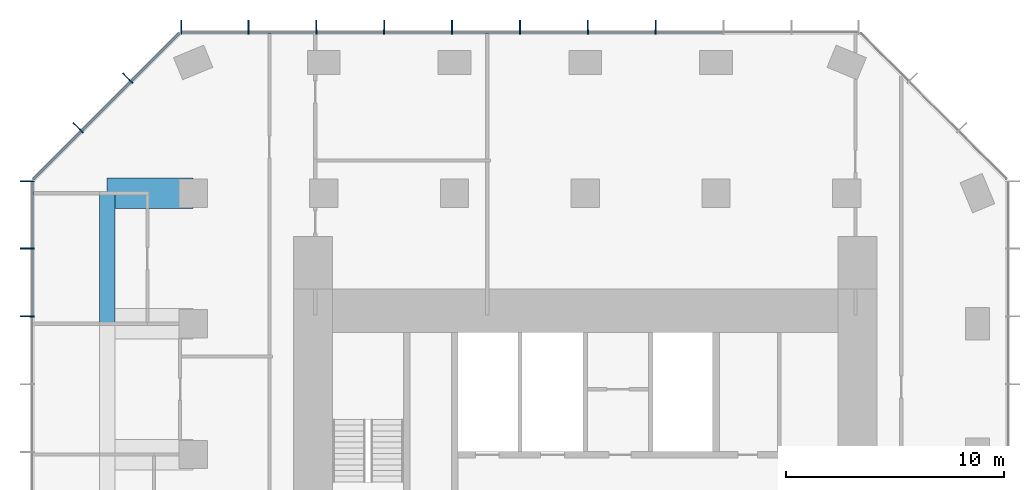
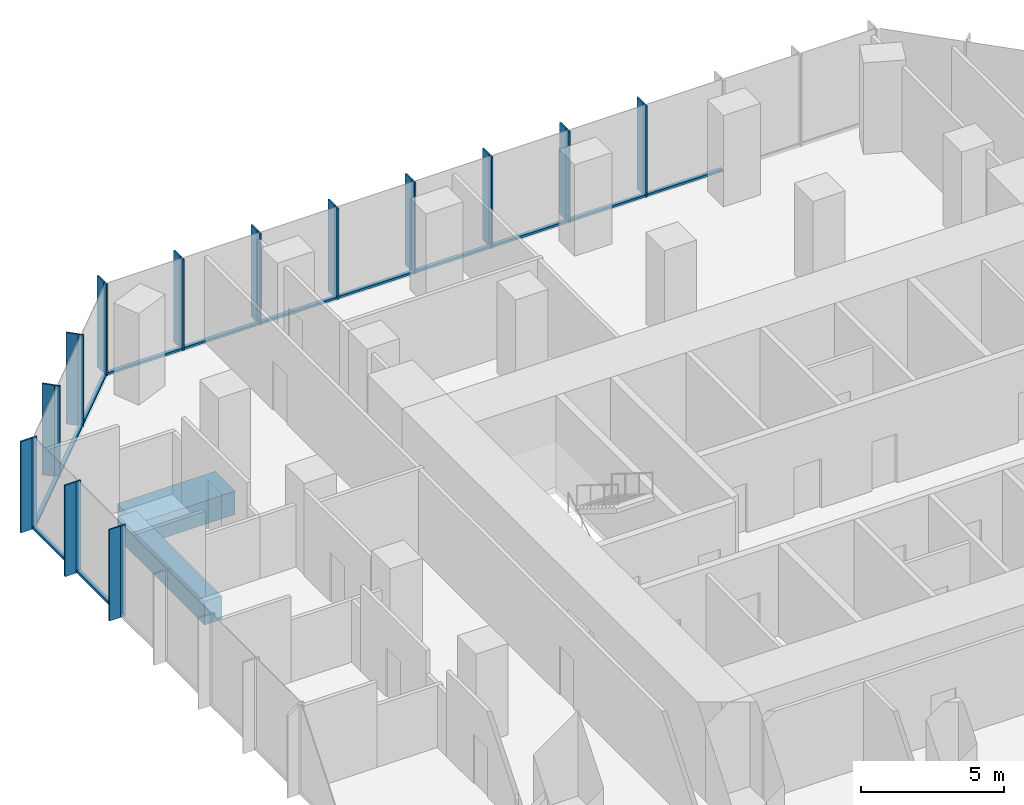
# One storey, part 5 of 11: 39 members, 2 beams, 3 elements without a shape of their own.
"""IFC4 building model written with IfcOpenShell, lengths in metres."""

from ifc_helpers import new_model, si_unit, direction, frame, origin, origin_2d, place, context, subcontext, project, spatial, rectangle, extrude, material, layer, layer_set, material_profile, profile_set, type_object, element, aggregate, save


model = new_model("IFC4")

# Units and contexts
model_context = context("Model", 3, precision=1e-05, world=origin(), true_north=direction((0.0, 1.0)))
body_context = subcontext(model_context, "Body", "Model", "MODEL_VIEW")
ifc_project = project(units=[si_unit("LENGTHUNIT", "METRE"), si_unit("AREAUNIT", "SQUARE_METRE"), si_unit("VOLUMEUNIT", "CUBIC_METRE"), si_unit("PLANEANGLEUNIT", "RADIAN"), si_unit("MASSUNIT", "GRAM", prefix="KILO")], contexts=[model_context])

# Site, building, storey
site_placement = place(None, origin())
site = spatial("IfcSite", under=ifc_project, at=site_placement, CompositionType="ELEMENT")
building_placement = place(site_placement, origin())
building = spatial("IfcBuilding", under=site, at=building_placement, Name="Highveld Stack Headquarters", CompositionType="ELEMENT")
storey_placement = place(building_placement, frame((0.0, 0.0, 227.89990234375)))
storey = spatial("IfcBuildingStorey", under=building, at=storey_placement, Name="L56", CompositionType="ELEMENT", Elevation=227.89990234375)

# Beam
ifc_material_1 = material(Name="Concrete C60/75", Category="concrete")
ifc_material_profile_1 = material_profile(ifc_material_1, rectangle(XDim=1.39990234375, YDim=1.0, at=origin_2d()), Name="RC 1400x1000")
ifc_profile_set_1 = profile_set([ifc_material_profile_1], Name="Concrete C60/75")
beam_type_1 = type_object("IfcBeamType", Name="CANTILEVER RIB RC 1400x1000", PredefinedType="USERDEFINED", material=ifc_profile_set_1)
beam_1_placement = place(storey_placement, frame((-12.0, 18.0, -0.75), z_axis=(-1.0, 0.0, 0.0), x_axis=(0.0, -1.0, 0.0)))
element("IfcBeam", 1, at=beam_1_placement, inside=storey, type_object=beam_type_1, Name="Cantilever rib 4/H L56", ObjectType="CANTILEVER RIB", PredefinedType="USERDEFINED", context=body_context, shape_type="SweptSolid", body=[
    extrude(rectangle(XDim=1.39990234375, YDim=1.0, at=origin_2d()), origin(), (0.0, 0.0, 1.0), 3.949951171875),
])

# Curtain wall, members
ifc_material_2 = material(Name="Aluminium bronze anodised", Category="aluminium")
ifc_layer_1 = layer(ifc_material_2, 0.199951171875)
ifc_layer_set_1 = layer_set([ifc_layer_1], Name="Aluminium bronze anodised")
curtain_wall_type_1 = type_object("IfcCurtainWallType", Name="CW1 TOWER UNITISED CURTAIN WALL", PredefinedType="NOTDEFINED", material=ifc_layer_set_1)
curtain_wall_1_placement = place(storey_placement, origin())
curtain_wall_1 = element("IfcCurtainWall", 2, at=curtain_wall_1_placement, inside=storey, type_object=curtain_wall_type_1, Name="Curtain wall CW1 L56 N", PredefinedType="NOTDEFINED")
ifc_material_3 = material(Name="Aluminium bronze anodised", Category="aluminium")
ifc_material_profile_2 = material_profile(ifc_material_3, rectangle(XDim=0.449951171875, YDim=0.06005859375, at=origin_2d()), Name="FIN 450x60")
ifc_profile_set_2 = profile_set([ifc_material_profile_2], Name="Aluminium bronze anodised")
member_type_1 = type_object("IfcMemberType", Name="CW1 BRONZE FIN 450x60", PredefinedType="USERDEFINED", material=ifc_profile_set_2)
member_1_placement = place(storey_placement, frame((9.23193359375, 25.72509765625, 0.0), z_axis=(0.0, 0.0, 1.0), x_axis=(0.0, -1.0, 0.0)))
member_1 = element("IfcMember", 3, at=member_1_placement, type_object=member_type_1, Name="CW1 fin L56 4", ObjectType="FIN", PredefinedType="USERDEFINED", context=body_context, shape_type="SweptSolid", body=[
    extrude(rectangle(XDim=0.449951171875, YDim=0.06005859375, at=origin_2d()), origin(), (0.0, 0.0, 1.0), 3.900146484375),
])
member_2_placement = place(storey_placement, frame((6.115966796875, 25.72509765625, 0.0), z_axis=(0.0, 0.0, 1.0), x_axis=(0.0, -1.0, 0.0)))
member_2 = element("IfcMember", 4, at=member_2_placement, type_object=member_type_1, Name="CW1 fin L56 5", ObjectType="FIN", PredefinedType="USERDEFINED", context=body_context, shape_type="SweptSolid", body=[
    extrude(rectangle(XDim=0.449951171875, YDim=0.06005859375, at=origin_2d()), origin(), (0.0, 0.0, 1.0), 3.900146484375),
])
member_3_placement = place(storey_placement, frame((3.0, 25.72509765625, 0.0), z_axis=(0.0, 0.0, 1.0), x_axis=(0.0, -1.0, 0.0)))
member_3 = element("IfcMember", 5, at=member_3_placement, type_object=member_type_1, Name="CW1 fin L56 6", ObjectType="FIN", PredefinedType="USERDEFINED", context=body_context, shape_type="SweptSolid", body=[
    extrude(rectangle(XDim=0.449951171875, YDim=0.06005859375, at=origin_2d()), origin(), (0.0, 0.0, 1.0), 3.900146484375),
])
member_4_placement = place(storey_placement, frame((-0.115966796875, 25.72509765625, 0.0), z_axis=(0.0, 0.0, 1.0), x_axis=(0.0, -1.0, 0.0)))
member_4 = element("IfcMember", 6, at=member_4_placement, type_object=member_type_1, Name="CW1 fin L56 7", ObjectType="FIN", PredefinedType="USERDEFINED", context=body_context, shape_type="SweptSolid", body=[
    extrude(rectangle(XDim=0.449951171875, YDim=0.06005859375, at=origin_2d()), origin(), (0.0, 0.0, 1.0), 3.900146484375),
])
member_5_placement = place(storey_placement, frame((-3.23193359375, 25.72509765625, 0.0), z_axis=(0.0, 0.0, 1.0), x_axis=(0.0, -1.0, 0.0)))
member_5 = element("IfcMember", 7, at=member_5_placement, type_object=member_type_1, Name="CW1 fin L56 8", ObjectType="FIN", PredefinedType="USERDEFINED", context=body_context, shape_type="SweptSolid", body=[
    extrude(rectangle(XDim=0.449951171875, YDim=0.06005859375, at=origin_2d()), origin(), (0.0, 0.0, 1.0), 3.900146484375),
])
member_6_placement = place(storey_placement, frame((-6.347900390625, 25.72509765625, 0.0), z_axis=(0.0, 0.0, 1.0), x_axis=(0.0, -1.0, 0.0)))
member_6 = element("IfcMember", 8, at=member_6_placement, type_object=member_type_1, Name="CW1 fin L56 9", ObjectType="FIN", PredefinedType="USERDEFINED", context=body_context, shape_type="SweptSolid", body=[
    extrude(rectangle(XDim=0.449951171875, YDim=0.06005859375, at=origin_2d()), origin(), (0.0, 0.0, 1.0), 3.900146484375),
])
member_7_placement = place(storey_placement, frame((-9.4638671875, 25.72509765625, 0.0), z_axis=(0.0, 0.0, 1.0), x_axis=(0.0, -1.0, 0.0)))
member_7 = element("IfcMember", 9, at=member_7_placement, type_object=member_type_1, Name="CW1 fin L56 10", ObjectType="FIN", PredefinedType="USERDEFINED", context=body_context, shape_type="SweptSolid", body=[
    extrude(rectangle(XDim=0.449951171875, YDim=0.06005859375, at=origin_2d()), origin(), (0.0, 0.0, 1.0), 3.900146484375),
])
member_8_placement = place(storey_placement, frame((-12.54736328125, 25.72509765625, 0.0), z_axis=(0.0, 0.0, 1.0), x_axis=(0.0, -1.0, 0.0)))
member_8 = element("IfcMember", 10, at=member_8_placement, type_object=member_type_1, Name="CW1 fin L56 11", ObjectType="FIN", PredefinedType="USERDEFINED", context=body_context, shape_type="SweptSolid", body=[
    extrude(rectangle(XDim=0.449951171875, YDim=0.06005859375, at=origin_2d()), origin(), (0.0, 0.0, 1.0), 3.900146484375),
])

curtain_wall_2_placement = place(storey_placement, origin())
curtain_wall_2 = element("IfcCurtainWall", 11, at=curtain_wall_2_placement, inside=storey, type_object=curtain_wall_type_1, Name="Curtain wall CW1 L56 W", PredefinedType="NOTDEFINED")
member_9_placement = place(storey_placement, frame((-19.72509765625, 18.54736328125, 0.0), z_axis=(0.0, 0.0, 1.0), x_axis=(1.0, 0.0, 0.0)))
member_9 = element("IfcMember", 12, at=member_9_placement, type_object=member_type_1, Name="CW1 fin L56 1", ObjectType="FIN", PredefinedType="USERDEFINED", context=body_context, shape_type="SweptSolid", body=[
    extrude(rectangle(XDim=0.449951171875, YDim=0.06005859375, at=origin_2d()), origin(), (0.0, 0.0, 1.0), 3.900146484375),
])
member_10_placement = place(storey_placement, frame((-19.72509765625, 15.4638671875, 0.0), z_axis=(0.0, 0.0, 1.0), x_axis=(1.0, 0.0, 0.0)))
member_10 = element("IfcMember", 13, at=member_10_placement, type_object=member_type_1, Name="CW1 fin L56 2", ObjectType="FIN", PredefinedType="USERDEFINED", context=body_context, shape_type="SweptSolid", body=[
    extrude(rectangle(XDim=0.449951171875, YDim=0.06005859375, at=origin_2d()), origin(), (0.0, 0.0, 1.0), 3.900146484375),
])
member_11_placement = place(storey_placement, frame((-19.72509765625, 12.347900390625, 0.0), z_axis=(0.0, 0.0, 1.0), x_axis=(1.0, 0.0, 0.0)))
member_11 = element("IfcMember", 14, at=member_11_placement, type_object=member_type_1, Name="CW1 fin L56 3", ObjectType="FIN", PredefinedType="USERDEFINED", context=body_context, shape_type="SweptSolid", body=[
    extrude(rectangle(XDim=0.449951171875, YDim=0.06005859375, at=origin_2d()), origin(), (0.0, 0.0, 1.0), 3.900146484375),
])

# Member
ifc_material_4 = material(Name="Aluminium bronze anodised", Category="aluminium")
ifc_material_profile_3 = material_profile(ifc_material_4, rectangle(XDim=0.199951171875, YDim=0.06494140625, at=origin_2d()), Name="CW1 MULLION 65x200")
ifc_profile_set_3 = profile_set([ifc_material_profile_3], Name="Aluminium bronze anodised")
member_type_2 = type_object("IfcMemberType", Name="CW1 MULLION 65x200", PredefinedType="MULLION", material=ifc_profile_set_3)
member_12_placement = place(storey_placement, frame((9.23193359375, 25.39990234375, 0.0), z_axis=(0.0, 0.0, 1.0), x_axis=(0.0, -1.0, 0.0)))
member_12 = element("IfcMember", 15, at=member_12_placement, type_object=member_type_2, Name="CW1 mullion L56 4", PredefinedType="MULLION", context=body_context, shape_type="SweptSolid", body=[
    extrude(rectangle(XDim=0.199951171875, YDim=0.06494140625, at=origin_2d()), origin(), (0.0, 0.0, 1.0), 3.900146484375),
])

member_13_placement = place(storey_placement, frame((6.115966796875, 25.39990234375, 0.0), z_axis=(0.0, 0.0, 1.0), x_axis=(0.0, -1.0, 0.0)))
member_13 = element("IfcMember", 16, at=member_13_placement, type_object=member_type_2, Name="CW1 mullion L56 5", PredefinedType="MULLION", context=body_context, shape_type="SweptSolid", body=[
    extrude(rectangle(XDim=0.199951171875, YDim=0.06494140625, at=origin_2d()), origin(), (0.0, 0.0, 1.0), 3.900146484375),
])

member_14_placement = place(storey_placement, frame((3.0, 25.39990234375, 0.0), z_axis=(0.0, 0.0, 1.0), x_axis=(0.0, -1.0, 0.0)))
member_14 = element("IfcMember", 17, at=member_14_placement, type_object=member_type_2, Name="CW1 mullion L56 6", PredefinedType="MULLION", context=body_context, shape_type="SweptSolid", body=[
    extrude(rectangle(XDim=0.199951171875, YDim=0.06494140625, at=origin_2d()), origin(), (0.0, 0.0, 1.0), 3.900146484375),
])

member_15_placement = place(storey_placement, frame((-0.115966796875, 25.39990234375, 0.0), z_axis=(0.0, 0.0, 1.0), x_axis=(0.0, -1.0, 0.0)))
member_15 = element("IfcMember", 18, at=member_15_placement, type_object=member_type_2, Name="CW1 mullion L56 7", PredefinedType="MULLION", context=body_context, shape_type="SweptSolid", body=[
    extrude(rectangle(XDim=0.199951171875, YDim=0.06494140625, at=origin_2d()), origin(), (0.0, 0.0, 1.0), 3.900146484375),
])

member_16_placement = place(storey_placement, frame((-3.23193359375, 25.39990234375, 0.0), z_axis=(0.0, 0.0, 1.0), x_axis=(0.0, -1.0, 0.0)))
member_16 = element("IfcMember", 19, at=member_16_placement, type_object=member_type_2, Name="CW1 mullion L56 8", PredefinedType="MULLION", context=body_context, shape_type="SweptSolid", body=[
    extrude(rectangle(XDim=0.199951171875, YDim=0.06494140625, at=origin_2d()), origin(), (0.0, 0.0, 1.0), 3.900146484375),
])

member_17_placement = place(storey_placement, frame((-6.347900390625, 25.39990234375, 0.0), z_axis=(0.0, 0.0, 1.0), x_axis=(0.0, -1.0, 0.0)))
member_17 = element("IfcMember", 20, at=member_17_placement, type_object=member_type_2, Name="CW1 mullion L56 9", PredefinedType="MULLION", context=body_context, shape_type="SweptSolid", body=[
    extrude(rectangle(XDim=0.199951171875, YDim=0.06494140625, at=origin_2d()), origin(), (0.0, 0.0, 1.0), 3.900146484375),
])

member_18_placement = place(storey_placement, frame((-9.4638671875, 25.39990234375, 0.0), z_axis=(0.0, 0.0, 1.0), x_axis=(0.0, -1.0, 0.0)))
member_18 = element("IfcMember", 21, at=member_18_placement, type_object=member_type_2, Name="CW1 mullion L56 10", PredefinedType="MULLION", context=body_context, shape_type="SweptSolid", body=[
    extrude(rectangle(XDim=0.199951171875, YDim=0.06494140625, at=origin_2d()), origin(), (0.0, 0.0, 1.0), 3.900146484375),
])

member_19_placement = place(storey_placement, frame((-12.54736328125, 25.39990234375, 0.0), z_axis=(0.0, 0.0, 1.0), x_axis=(0.0, -1.0, 0.0)))
member_19 = element("IfcMember", 22, at=member_19_placement, type_object=member_type_2, Name="CW1 mullion L56 11", PredefinedType="MULLION", context=body_context, shape_type="SweptSolid", body=[
    extrude(rectangle(XDim=0.199951171875, YDim=0.06494140625, at=origin_2d()), origin(), (0.0, 0.0, 1.0), 3.900146484375),
])

member_20_placement = place(storey_placement, frame((-19.39990234375, 18.54736328125, 0.0), z_axis=(0.0, 0.0, 1.0), x_axis=(1.0, 0.0, 0.0)))
member_20 = element("IfcMember", 23, at=member_20_placement, type_object=member_type_2, Name="CW1 mullion L56 1", PredefinedType="MULLION", context=body_context, shape_type="SweptSolid", body=[
    extrude(rectangle(XDim=0.199951171875, YDim=0.06494140625, at=origin_2d()), origin(), (0.0, 0.0, 1.0), 3.900146484375),
])

member_21_placement = place(storey_placement, frame((-19.39990234375, 15.4638671875, 0.0), z_axis=(0.0, 0.0, 1.0), x_axis=(1.0, 0.0, 0.0)))
member_21 = element("IfcMember", 24, at=member_21_placement, type_object=member_type_2, Name="CW1 mullion L56 2", PredefinedType="MULLION", context=body_context, shape_type="SweptSolid", body=[
    extrude(rectangle(XDim=0.199951171875, YDim=0.06494140625, at=origin_2d()), origin(), (0.0, 0.0, 1.0), 3.900146484375),
])

member_22_placement = place(storey_placement, frame((-19.39990234375, 12.347900390625, 0.0), z_axis=(0.0, 0.0, 1.0), x_axis=(1.0, 0.0, 0.0)))
member_22 = element("IfcMember", 25, at=member_22_placement, type_object=member_type_2, Name="CW1 mullion L56 3", PredefinedType="MULLION", context=body_context, shape_type="SweptSolid", body=[
    extrude(rectangle(XDim=0.199951171875, YDim=0.06494140625, at=origin_2d()), origin(), (0.0, 0.0, 1.0), 3.900146484375),
])

ifc_material_5 = material(Name="Aluminium bronze anodised", Category="aluminium")
ifc_material_profile_4 = material_profile(ifc_material_5, rectangle(XDim=0.14990234375, YDim=0.10009765625, at=origin_2d()), Name="CW1 TRANSOM 150x100")
ifc_profile_set_4 = profile_set([ifc_material_profile_4], Name="Aluminium bronze anodised")
member_type_3 = type_object("IfcMemberType", Name="CW1 STACK TRANSOM 150x100", PredefinedType="USERDEFINED", material=ifc_profile_set_4)
member_23_placement = place(storey_placement, frame((12.3154296875, 25.39990234375, 0.050048828125), z_axis=(-1.0, 0.0, 0.0), x_axis=(0.0, -1.0, 0.0)))
member_23 = element("IfcMember", 26, at=member_23_placement, type_object=member_type_3, Name="CW1 transom L56 3.1", ObjectType="TRANSOM", PredefinedType="USERDEFINED", context=body_context, shape_type="SweptSolid", body=[
    extrude(rectangle(XDim=0.14990234375, YDim=0.10009765625, at=origin_2d()), origin(), (0.0, 0.0, 1.0), 3.051025390625),
])

member_24_placement = place(storey_placement, frame((9.199462890625, 25.39990234375, 0.050048828125), z_axis=(-1.0, 0.0, 0.0), x_axis=(0.0, -1.0, 0.0)))
member_24 = element("IfcMember", 27, at=member_24_placement, type_object=member_type_3, Name="CW1 transom L56 4.1", ObjectType="TRANSOM", PredefinedType="USERDEFINED", context=body_context, shape_type="SweptSolid", body=[
    extrude(rectangle(XDim=0.14990234375, YDim=0.10009765625, at=origin_2d()), origin(), (0.0, 0.0, 1.0), 3.051025390625),
])

member_25_placement = place(storey_placement, frame((6.08349609375, 25.39990234375, 0.050048828125), z_axis=(-1.0, 0.0, 0.0), x_axis=(0.0, -1.0, 0.0)))
member_25 = element("IfcMember", 28, at=member_25_placement, type_object=member_type_3, Name="CW1 transom L56 5.1", ObjectType="TRANSOM", PredefinedType="USERDEFINED", context=body_context, shape_type="SweptSolid", body=[
    extrude(rectangle(XDim=0.14990234375, YDim=0.10009765625, at=origin_2d()), origin(), (0.0, 0.0, 1.0), 3.051025390625),
])

member_26_placement = place(storey_placement, frame((2.967529296875, 25.39990234375, 0.050048828125), z_axis=(-1.0, 0.0, 0.0), x_axis=(0.0, -1.0, 0.0)))
member_26 = element("IfcMember", 29, at=member_26_placement, type_object=member_type_3, Name="CW1 transom L56 6.1", ObjectType="TRANSOM", PredefinedType="USERDEFINED", context=body_context, shape_type="SweptSolid", body=[
    extrude(rectangle(XDim=0.14990234375, YDim=0.10009765625, at=origin_2d()), origin(), (0.0, 0.0, 1.0), 3.051025390625),
])

member_27_placement = place(storey_placement, frame((-0.1484375, 25.39990234375, 0.050048828125), z_axis=(-1.0, 0.0, 0.0), x_axis=(0.0, -1.0, 0.0)))
member_27 = element("IfcMember", 30, at=member_27_placement, type_object=member_type_3, Name="CW1 transom L56 7.1", ObjectType="TRANSOM", PredefinedType="USERDEFINED", context=body_context, shape_type="SweptSolid", body=[
    extrude(rectangle(XDim=0.14990234375, YDim=0.10009765625, at=origin_2d()), origin(), (0.0, 0.0, 1.0), 3.051025390625),
])

member_28_placement = place(storey_placement, frame((-3.264404296875, 25.39990234375, 0.050048828125), z_axis=(-1.0, 0.0, 0.0), x_axis=(0.0, -1.0, 0.0)))
member_28 = element("IfcMember", 31, at=member_28_placement, type_object=member_type_3, Name="CW1 transom L56 8.1", ObjectType="TRANSOM", PredefinedType="USERDEFINED", context=body_context, shape_type="SweptSolid", body=[
    extrude(rectangle(XDim=0.14990234375, YDim=0.10009765625, at=origin_2d()), origin(), (0.0, 0.0, 1.0), 3.051025390625),
])

member_29_placement = place(storey_placement, frame((-6.38037109375, 25.39990234375, 0.050048828125), z_axis=(-1.0, 0.0, 0.0), x_axis=(0.0, -1.0, 0.0)))
member_29 = element("IfcMember", 32, at=member_29_placement, type_object=member_type_3, Name="CW1 transom L56 9.1", ObjectType="TRANSOM", PredefinedType="USERDEFINED", context=body_context, shape_type="SweptSolid", body=[
    extrude(rectangle(XDim=0.14990234375, YDim=0.10009765625, at=origin_2d()), origin(), (0.0, 0.0, 1.0), 3.051025390625),
])

member_30_placement = place(storey_placement, frame((-9.496337890625, 25.39990234375, 0.050048828125), z_axis=(-1.0, 0.0, 0.0), x_axis=(0.0, -1.0, 0.0)))
member_30 = element("IfcMember", 33, at=member_30_placement, type_object=member_type_3, Name="CW1 transom L56 10.1", ObjectType="TRANSOM", PredefinedType="USERDEFINED", context=body_context, shape_type="SweptSolid", body=[
    extrude(rectangle(XDim=0.14990234375, YDim=0.10009765625, at=origin_2d()), origin(), (0.0, 0.0, 1.0), 3.0185546875),
])

aggregate(curtain_wall_1, [member_12, member_1, member_13, member_2, member_14, member_3, member_15, member_4, member_16, member_5, member_17, member_6, member_18, member_7, member_19, member_8, member_23, member_24, member_25, member_26, member_27, member_28, member_29, member_30])

member_31_placement = place(storey_placement, frame((-19.39990234375, 18.514892578125, 0.050048828125), z_axis=(0.0, -1.0, 0.0), x_axis=(1.0, 0.0, 0.0)))
member_31 = element("IfcMember", 34, at=member_31_placement, type_object=member_type_3, Name="CW1 transom L56 1.1", ObjectType="TRANSOM", PredefinedType="USERDEFINED", context=body_context, shape_type="SweptSolid", body=[
    extrude(rectangle(XDim=0.14990234375, YDim=0.10009765625, at=origin_2d()), origin(), (0.0, 0.0, 1.0), 3.0185546875),
])

member_32_placement = place(storey_placement, frame((-19.39990234375, 15.431396484375, 0.050048828125), z_axis=(0.0, -1.0, 0.0), x_axis=(1.0, 0.0, 0.0)))
member_32 = element("IfcMember", 35, at=member_32_placement, type_object=member_type_3, Name="CW1 transom L56 2.1", ObjectType="TRANSOM", PredefinedType="USERDEFINED", context=body_context, shape_type="SweptSolid", body=[
    extrude(rectangle(XDim=0.14990234375, YDim=0.10009765625, at=origin_2d()), origin(), (0.0, 0.0, 1.0), 3.051025390625),
])

aggregate(curtain_wall_2, [member_20, member_9, member_21, member_10, member_22, member_11, member_31, member_32])

# Curtain wall, members
ifc_material_6 = material(Name="Aluminium bronze anodised", Category="aluminium")
ifc_layer_2 = layer(ifc_material_6, 0.199951171875)
ifc_layer_set_2 = layer_set([ifc_layer_2], Name="Aluminium bronze anodised")
curtain_wall_type_2 = type_object("IfcCurtainWallType", Name="CW2 TOWER CHAMFER UNITISED CURTAIN WALL", PredefinedType="NOTDEFINED", material=ifc_layer_set_2)
curtain_wall_3_placement = place(storey_placement, origin())
curtain_wall_3 = element("IfcCurtainWall", 36, at=curtain_wall_3_placement, inside=storey, type_object=curtain_wall_type_2, Name="Curtain wall CW2 L56 NW", PredefinedType="NOTDEFINED")
ifc_material_7 = material(Name="Aluminium bronze anodised", Category="aluminium")
ifc_material_profile_5 = material_profile(ifc_material_7, rectangle(XDim=0.449951171875, YDim=0.06005859375, at=origin_2d()), Name="FIN 450x60")
ifc_profile_set_5 = profile_set([ifc_material_profile_5], Name="Aluminium bronze anodised")
member_type_4 = type_object("IfcMemberType", Name="CW2 BRONZE FIN 450x60", PredefinedType="USERDEFINED", material=ifc_profile_set_5)
member_33_placement = place(storey_placement, frame((-15.0830078125, 23.3564453125, 0.0), z_axis=(0.0, 0.0, 1.0), x_axis=(0.707106781187, -0.707106781187, 0.0)))
member_33 = element("IfcMember", 37, at=member_33_placement, type_object=member_type_4, Name="CW2 fin L56 1", ObjectType="FIN", PredefinedType="USERDEFINED", context=body_context, shape_type="SweptSolid", body=[
    extrude(rectangle(XDim=0.449951171875, YDim=0.06005859375, at=origin_2d()), origin(), (0.0, 0.0, 1.0), 3.900146484375),
])
member_34_placement = place(storey_placement, frame((-17.3564453125, 21.0830078125, 0.0), z_axis=(0.0, 0.0, 1.0), x_axis=(0.707106781187, -0.707106781187, 0.0)))
member_34 = element("IfcMember", 38, at=member_34_placement, type_object=member_type_4, Name="CW2 fin L56 2", ObjectType="FIN", PredefinedType="USERDEFINED", context=body_context, shape_type="SweptSolid", body=[
    extrude(rectangle(XDim=0.449951171875, YDim=0.06005859375, at=origin_2d()), origin(), (0.0, 0.0, 1.0), 3.900146484375),
])
ifc_material_8 = material(Name="Aluminium bronze anodised", Category="aluminium")
ifc_material_profile_6 = material_profile(ifc_material_8, rectangle(XDim=0.199951171875, YDim=0.06494140625, at=origin_2d()), Name="CW2 MULLION 65x200")
ifc_profile_set_6 = profile_set([ifc_material_profile_6], Name="Aluminium bronze anodised")
member_type_5 = type_object("IfcMemberType", Name="CW2 MULLION 65x200", PredefinedType="MULLION", material=ifc_profile_set_6)
member_35_placement = place(storey_placement, frame((-14.853271484375, 23.126708984375, 0.0), z_axis=(0.0, 0.0, 1.0), x_axis=(0.707106781187, -0.707106781187, 0.0)))
member_35 = element("IfcMember", 39, at=member_35_placement, type_object=member_type_5, Name="CW2 mullion L56 1", PredefinedType="MULLION", context=body_context, shape_type="SweptSolid", body=[
    extrude(rectangle(XDim=0.199951171875, YDim=0.06494140625, at=origin_2d()), origin(), (0.0, 0.0, 1.0), 3.900146484375),
])
member_36_placement = place(storey_placement, frame((-17.126708984375, 20.853271484375, 0.0), z_axis=(0.0, 0.0, 1.0), x_axis=(0.707106781187, -0.707106781187, 0.0)))
member_36 = element("IfcMember", 40, at=member_36_placement, type_object=member_type_5, Name="CW2 mullion L56 2", PredefinedType="MULLION", context=body_context, shape_type="SweptSolid", body=[
    extrude(rectangle(XDim=0.199951171875, YDim=0.06494140625, at=origin_2d()), origin(), (0.0, 0.0, 1.0), 3.900146484375),
])
ifc_material_9 = material(Name="Aluminium bronze anodised", Category="aluminium")
ifc_material_profile_7 = material_profile(ifc_material_9, rectangle(XDim=0.14990234375, YDim=0.10009765625, at=origin_2d()), Name="CW2 TRANSOM 150x100")
ifc_profile_set_7 = profile_set([ifc_material_profile_7], Name="Aluminium bronze anodised")
member_type_6 = type_object("IfcMemberType", Name="CW2 STACK TRANSOM 150x100", PredefinedType="USERDEFINED", material=ifc_profile_set_7)
member_37_placement = place(storey_placement, frame((-12.650634765625, 25.329345703125, 0.050048828125), z_axis=(-0.707106781187, -0.707106781187, 0.0), x_axis=(0.707106781187, -0.707106781187, 0.0)))
member_37 = element("IfcMember", 41, at=member_37_placement, type_object=member_type_6, Name="CW2 transom L56 1.1", ObjectType="TRANSOM", PredefinedType="USERDEFINED", context=body_context, shape_type="SweptSolid", body=[
    extrude(rectangle(XDim=0.14990234375, YDim=0.10009765625, at=origin_2d()), origin(), (0.0, 0.0, 1.0), 3.08251953125),
])
member_38_placement = place(storey_placement, frame((-14.876220703125, 23.103759765625, 0.050048828125), z_axis=(-0.707106781187, -0.707106781187, 0.0), x_axis=(0.707106781187, -0.707106781187, 0.0)))
member_38 = element("IfcMember", 42, at=member_38_placement, type_object=member_type_6, Name="CW2 transom L56 2.1", ObjectType="TRANSOM", PredefinedType="USERDEFINED", context=body_context, shape_type="SweptSolid", body=[
    extrude(rectangle(XDim=0.14990234375, YDim=0.10009765625, at=origin_2d()), origin(), (0.0, 0.0, 1.0), 3.150146484375),
])
member_39_placement = place(storey_placement, frame((-17.149658203125, 20.830322265625, 0.050048828125), z_axis=(-0.707106781187, -0.707106781187, 0.0), x_axis=(0.707106781187, -0.707106781187, 0.0)))
member_39 = element("IfcMember", 43, at=member_39_placement, type_object=member_type_6, Name="CW2 transom L56 3.1", ObjectType="TRANSOM", PredefinedType="USERDEFINED", context=body_context, shape_type="SweptSolid", body=[
    extrude(rectangle(XDim=0.14990234375, YDim=0.10009765625, at=origin_2d()), origin(), (0.0, 0.0, 1.0), 3.08251953125),
])
aggregate(curtain_wall_3, [member_35, member_33, member_36, member_34, member_37, member_38, member_39])

# Beam
ifc_material_10 = material(Name="Concrete C60/75", Category="concrete")
ifc_material_profile_8 = material_profile(ifc_material_10, rectangle(XDim=0.699951171875, YDim=1.0, at=origin_2d()), Name="RC 700x1000")
ifc_profile_set_8 = profile_set([ifc_material_profile_8], Name="Concrete C60/75")
beam_type_2 = type_object("IfcBeamType", Name="RIB TIP BEAM RC 700x1000", PredefinedType="SPANDREL", material=ifc_profile_set_8)
beam_2_placement = place(storey_placement, frame((-15.949951171875, 12.0, -0.75), z_axis=(0.0, 1.0, 0.0), x_axis=(-1.0, 0.0, 0.0)))
element("IfcBeam", 44, at=beam_2_placement, inside=storey, type_object=beam_type_2, Name="Rib tip beam 4/G to 4/H L56", PredefinedType="SPANDREL", context=body_context, shape_type="SweptSolid", body=[
    extrude(rectangle(XDim=0.699951171875, YDim=1.0, at=origin_2d()), origin(), (0.0, 0.0, 1.0), 6.0),
])

save(model, "model.ifc")
